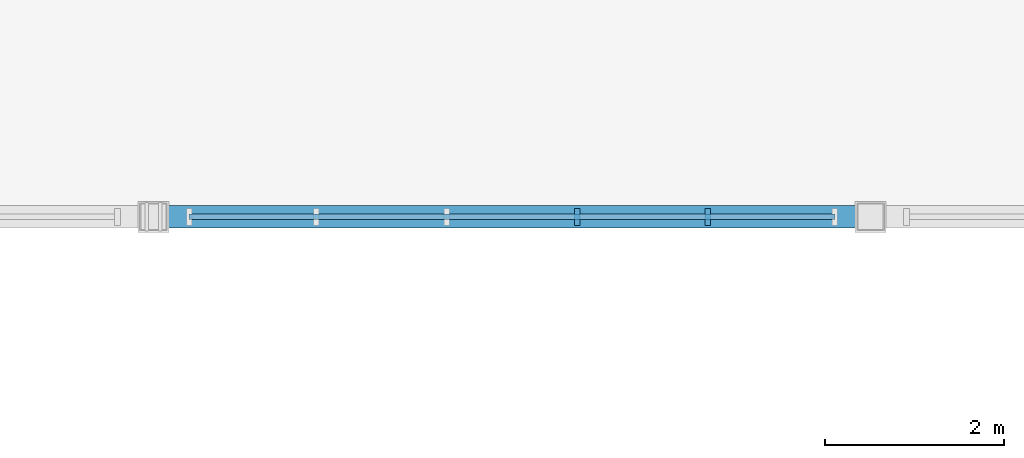
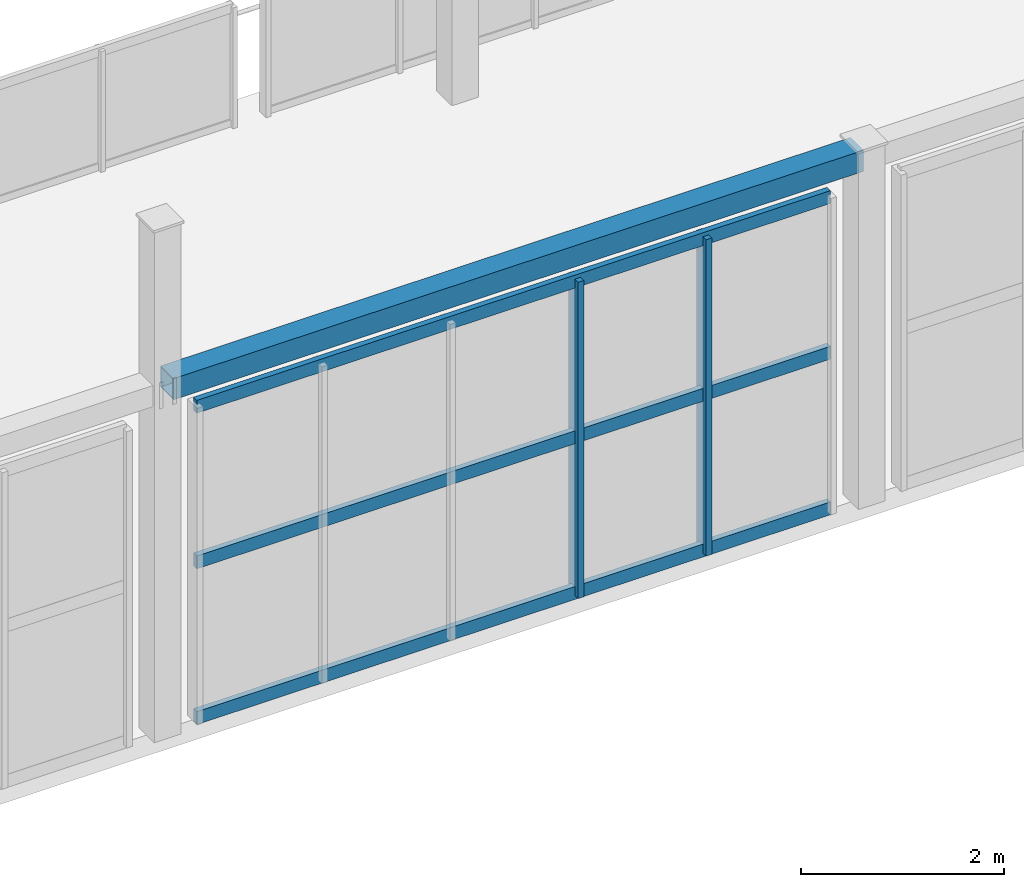
# One storey, part 21 of 83: 6 members, 1 element without a shape of its own.
"""IFC4 building model written with IfcOpenShell, lengths in metres."""

from ifc_helpers import new_model, si_unit, direction, frame, origin, origin_2d, place, context, subcontext, project, spatial, rectangle, hollow_rectangle, extrude, material, material_profile, profile_set, type_object, element, aggregate, save


model = new_model("IFC4")

# Units and contexts
model_context = context("Model", 3, precision=1e-05, world=origin(), true_north=direction((0.0, 1.0)))
body_context = subcontext(model_context, "Body", "Model", "MODEL_VIEW")
ifc_project = project(units=[si_unit("LENGTHUNIT", "METRE"), si_unit("AREAUNIT", "SQUARE_METRE"), si_unit("VOLUMEUNIT", "CUBIC_METRE"), si_unit("PLANEANGLEUNIT", "RADIAN"), si_unit("MASSUNIT", "GRAM", prefix="KILO")], contexts=[model_context])

# Site, building, storey
site_placement = place(None, origin())
site = spatial("IfcSite", under=ifc_project, at=site_placement, CompositionType="ELEMENT")
building_placement = place(site_placement, origin())
building = spatial("IfcBuilding", under=site, at=building_placement, Name="Drelvath Fold Interchange", CompositionType="ELEMENT")
storey_placement = place(building_placement, frame((0.0, 0.0, 11.199951171875)))
storey = spatial("IfcBuildingStorey", under=building, at=storey_placement, Name="L02", CompositionType="ELEMENT", Elevation=11.199951171875)

# Member
ifc_material_1 = material(Name="Steel ASTM A500 Grade C", Category="steel")
ifc_material_profile_1 = material_profile(ifc_material_1, hollow_rectangle(XDim=0.25390625, YDim=0.25390625, WallThickness=0.01171875, at=origin_2d()), Name="HSS10X10X1/2")
ifc_profile_set_1 = profile_set([ifc_material_profile_1], Name="Steel ASTM A500 Grade C")
member_type_1 = type_object("IfcMemberType", Name="FP-CHD254", PredefinedType="CHORD", material=ifc_profile_set_1)
member_1_placement = place(storey_placement, frame((60.080078125, 59.0, 4.150146484375), z_axis=(1.0, 0.0, 0.0), x_axis=(0.0, 1.0, 0.0)))
element("IfcMember", 1, at=member_1_placement, inside=storey, type_object=member_type_1, Name="L02 Folded-plate roof truss tie chord FP-CHD254", PredefinedType="CHORD", context=body_context, shape_type="SweptSolid", body=[
    extrude(hollow_rectangle(XDim=0.25390625, YDim=0.25390625, WallThickness=0.01171875, at=origin_2d()), origin(), (0.0, 0.0, 1.0), 7.83984375),
])

# Curtain wall, members
ifc_material_2 = material(Name="Anodized Aluminium 6063-T6", Category="aluminium")
curtain_wall_type = type_object("IfcCurtainWallType", Name="CW-CON-440", PredefinedType="USERDEFINED", material=ifc_material_2)
curtain_wall_placement = place(storey_placement, origin())
curtain_wall = element("IfcCurtainWall", 2, at=curtain_wall_placement, inside=storey, type_object=curtain_wall_type, Name="Curtain wall CW-V1S-L02-X60", ObjectType="UNITISED CURTAIN WALL", PredefinedType="USERDEFINED")
ifc_material_profile_2 = material_profile(ifc_material_2, rectangle(XDim=0.06494140625, YDim=0.18994140625, at=origin_2d()), Name="AL-M 65x190")
ifc_profile_set_2 = profile_set([ifc_material_profile_2], Name="Anodized Aluminium 6063-T6")
member_type_2 = type_object("IfcMemberType", Name="ML-190", PredefinedType="MULLION", material=ifc_profile_set_2)
member_2_placement = place(storey_placement, frame((64.72802734375, 59.0, 0.0), z_axis=(0.0, 0.0, 1.0), x_axis=(1.0, 0.0, 0.0)))
member_2 = element("IfcMember", 3, at=member_2_placement, type_object=member_type_2, Name="CW-V1S-L02-X60 mullion 3", PredefinedType="MULLION", context=body_context, shape_type="SweptSolid", body=[
    extrude(rectangle(XDim=0.06494140625, YDim=0.18994140625, at=origin_2d()), origin(), (0.0, 0.0, 1.0), 3.800048828125),
])
member_3_placement = place(storey_placement, frame((66.18408203125, 59.0, 0.0), z_axis=(0.0, 0.0, 1.0), x_axis=(1.0, 0.0, 0.0)))
member_3 = element("IfcMember", 4, at=member_3_placement, type_object=member_type_2, Name="CW-V1S-L02-X60 mullion 4", PredefinedType="MULLION", context=body_context, shape_type="SweptSolid", body=[
    extrude(rectangle(XDim=0.06494140625, YDim=0.18994140625, at=origin_2d()), origin(), (0.0, 0.0, 1.0), 3.800048828125),
])
ifc_material_profile_3 = material_profile(ifc_material_2, rectangle(XDim=0.06494140625, YDim=0.155029296875, at=origin_2d()), Name="AL-T 65x155")
ifc_profile_set_3 = profile_set([ifc_material_profile_3], Name="Anodized Aluminium 6063-T6")
member_type_3 = type_object("IfcMemberType", Name="TR-155", PredefinedType="USERDEFINED", material=ifc_profile_set_3)
member_4_placement = place(storey_placement, frame((60.39990234375, 59.0, 0.030029296875), z_axis=(1.0, 0.0, 0.0), x_axis=(0.0, 1.0, 0.0)))
member_4 = element("IfcMember", 5, at=member_4_placement, type_object=member_type_3, Name="CW-V1S-L02-X60 transom 0", ObjectType="TRANSOM", PredefinedType="USERDEFINED", context=body_context, shape_type="SweptSolid", body=[
    extrude(rectangle(XDim=0.06494140625, YDim=0.155029296875, at=origin_2d()), origin(), (0.0, 0.0, 1.0), 7.2001953125),
])
member_5_placement = place(storey_placement, frame((60.39990234375, 59.0, 1.900146484375), z_axis=(1.0, 0.0, 0.0), x_axis=(0.0, 1.0, 0.0)))
member_5 = element("IfcMember", 6, at=member_5_placement, type_object=member_type_3, Name="CW-V1S-L02-X60 transom 1", ObjectType="TRANSOM", PredefinedType="USERDEFINED", context=body_context, shape_type="SweptSolid", body=[
    extrude(rectangle(XDim=0.06494140625, YDim=0.155029296875, at=origin_2d()), origin(), (0.0, 0.0, 1.0), 7.2001953125),
])
member_6_placement = place(storey_placement, frame((60.39990234375, 59.0, 3.77001953125), z_axis=(1.0, 0.0, 0.0), x_axis=(0.0, 1.0, 0.0)))
member_6 = element("IfcMember", 7, at=member_6_placement, type_object=member_type_3, Name="CW-V1S-L02-X60 transom 2", ObjectType="TRANSOM", PredefinedType="USERDEFINED", context=body_context, shape_type="SweptSolid", body=[
    extrude(rectangle(XDim=0.06494140625, YDim=0.155029296875, at=origin_2d()), origin(), (0.0, 0.0, 1.0), 7.2001953125),
])
aggregate(curtain_wall, [member_2, member_3, member_4, member_5, member_6])

save(model, "model.ifc")
